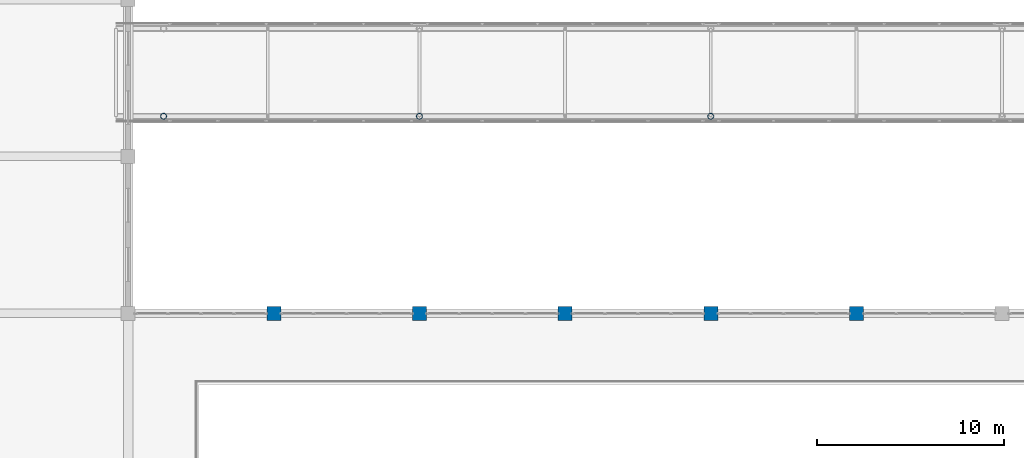
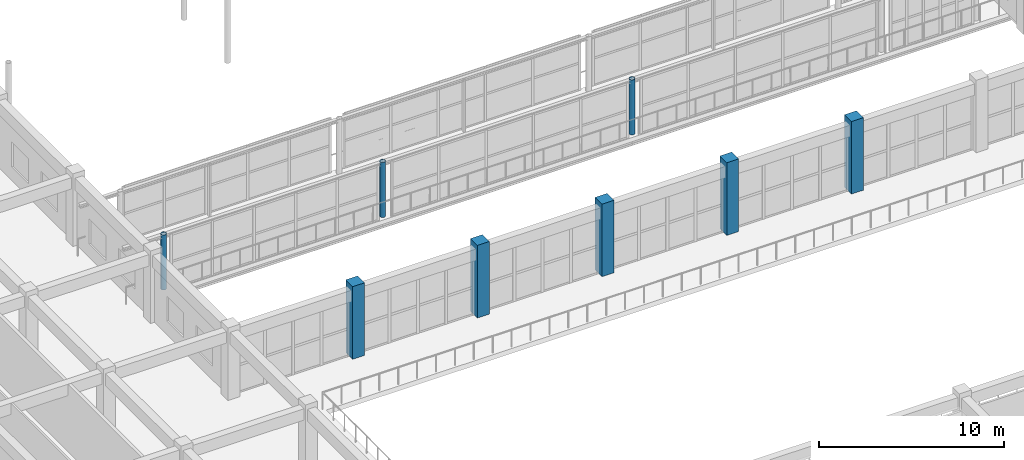
# One storey, part 2 of 175: 8 columns.
"""IFC4 building model written with IfcOpenShell, lengths in metres."""

import ifcopenshell
import ifcopenshell.guid

model = None  # the IFC model being written
_history = None  # IfcOwnerHistory: only IFC2X3 demands one
_inside = {}  # id of a spatial element -> (the spatial element, [elements in it])
_under = {}  # id of a project, library or spatial element -> (it, [spatial elements below it])
_declared = {}  # id of a project -> (the project, [libraries it declares])
_typed = {}  # id of a type object -> (the type object, [elements of that type])
_made_of = {}  # id of a material, layer set ... -> (it, [elements and type objects made of it])


def new_model(schema):
    """Start an empty IFC model of exactly this schema.

    Asked for "IFC4X3", IfcOpenShell would pick the latest addendum, in which some entities
    have other attributes; the version numbers below select the first issue.
    IFC2X3 requires an IfcOwnerHistory on every rooted entity: one is made here for all.
    """
    global model, _history
    if schema == "IFC4X3":
        model = ifcopenshell.file(schema_version=(4, 3, 0, 0))
    else:
        model = ifcopenshell.file(schema=schema)
    _inside.clear()
    _under.clear()
    _declared.clear()
    _typed.clear()
    _made_of.clear()
    _history = None
    if model.schema == "IFC2X3":
        org = make("IfcOrganization", Name="unknown")
        user = make(
            "IfcPersonAndOrganization",
            ThePerson=make("IfcPerson", FamilyName="unknown"),
            TheOrganization=org,
        )
        app = make(
            "IfcApplication",
            ApplicationDeveloper=org,
            Version="unknown",
            ApplicationFullName="unknown",
            ApplicationIdentifier="unknown",
        )
        _history = make(
            "IfcOwnerHistory",
            OwningUser=user,
            OwningApplication=app,
            ChangeAction="ADDED",
            CreationDate=0,
        )
    return model


def make(cls, **values):
    """One entity of the class cls with the attributes given. An attribute that is None is left unset."""
    return model.create_entity(
        cls, **{name: value for name, value in values.items() if value is not None}
    )


def rooted(cls, **values):
    """An entity with a GlobalId (a new one), such as an element, a storey or a relation."""
    return make(cls, GlobalId=ifcopenshell.guid.new(), OwnerHistory=_history, **values)


def si_unit(unit_type, name, prefix=None):
    """IfcSIUnit, for example si_unit("LENGTHUNIT", "METRE", prefix="MILLI")."""
    return make("IfcSIUnit", UnitType=unit_type, Prefix=prefix, Name=name)


def assignment(units):
    """IfcUnitAssignment: the units of a project."""
    return None if units is None else make("IfcUnitAssignment", Units=units)


def point(xyz):
    """IfcCartesianPoint."""
    return None if xyz is None else make("IfcCartesianPoint", Coordinates=xyz)


def direction(xyz):
    """IfcDirection."""
    return None if xyz is None else make("IfcDirection", DirectionRatios=xyz)


def frame(location, z_axis=None, x_axis=None):
    """IfcAxis2Placement3D, a coordinate frame: its origin and axes. An axis left out is left unset."""
    return make(
        "IfcAxis2Placement3D",
        Location=point(location),
        Axis=direction(z_axis),
        RefDirection=direction(x_axis),
    )


def frame_2d(location, x_axis=None):
    """IfcAxis2Placement2D, a coordinate frame in the plane: its origin and x axis."""
    return make(
        "IfcAxis2Placement2D", Location=point(location), RefDirection=direction(x_axis)
    )


def origin():
    """The frame at (0, 0, 0) with its axes left unset."""
    return frame((0.0, 0.0, 0.0))


def origin_2d():
    """The frame at (0, 0) in the plane with its x axis left unset."""
    return frame_2d((0.0, 0.0))


def place(relative_to, where):
    """IfcLocalPlacement: puts the frame where relative to a parent placement (None: the world)."""
    return make(
        "IfcLocalPlacement", PlacementRelTo=relative_to, RelativePlacement=where
    )


def context(
    kind, dimensions, precision=None, world=None, true_north=None, identifier=None
):
    """IfcGeometricRepresentationContext, for example the 3D "Model" context."""
    return make(
        "IfcGeometricRepresentationContext",
        ContextIdentifier=identifier,
        ContextType=kind,
        CoordinateSpaceDimension=dimensions,
        Precision=precision,
        WorldCoordinateSystem=world,
        TrueNorth=true_north,
    )


def subcontext(parent, identifier, kind, view, scale=None):
    """IfcGeometricRepresentationSubContext, for example "Body" below "Model"."""
    return make(
        "IfcGeometricRepresentationSubContext",
        ContextIdentifier=identifier,
        ContextType=kind,
        ParentContext=parent,
        TargetScale=scale,
        TargetView=view,
    )


def project(units=None, contexts=None):
    """IfcProject with its units and contexts."""
    return rooted(
        "IfcProject",
        Name="project",
        RepresentationContexts=contexts,
        UnitsInContext=assignment(units),
    )


def spatial(cls, under=None, at=None, **own):
    """A site, building, storey or space (cls), placed at a placement, below another one or the project."""
    s = rooted(cls, ObjectPlacement=at, **own)
    if under is not None:
        _under.setdefault(under.id(), (under, []))[1].append(s)
    return s


def profile(cls, at=None, kind="AREA", **sizes):
    """A parametric profile (cls). Its sizes go by their IFC names, for example OverallWidth=200.0."""
    return make(cls, ProfileType=kind, Position=at, **sizes)


def rectangle(**sizes):
    """IfcRectangleProfileDef."""
    return profile("IfcRectangleProfileDef", **sizes)


def hollow_circle(**sizes):
    """IfcCircleHollowProfileDef."""
    return profile("IfcCircleHollowProfileDef", **sizes)


def extrude(swept, where, along, depth):
    """IfcExtrudedAreaSolid: the profile swept, set in the frame where, extruded along a direction by depth."""
    return make(
        "IfcExtrudedAreaSolid",
        SweptArea=swept,
        Position=where,
        ExtrudedDirection=direction(along),
        Depth=depth,
    )


def shape(context_of_items, identifier, shape_type, items):
    """IfcShapeRepresentation: the items that make up one representation, for example the "Body"."""
    return make(
        "IfcShapeRepresentation",
        ContextOfItems=context_of_items,
        RepresentationIdentifier=identifier,
        RepresentationType=shape_type,
        Items=items,
    )


def material(Name=None, Category=None):
    """IfcMaterial."""
    return make("IfcMaterial", Name=Name, Category=Category)


def material_profile(
    of_material, cross_section, Name=None, Category=None, Priority=None
):
    """IfcMaterialProfile: a cross section and its material."""
    return make(
        "IfcMaterialProfile",
        Name=Name,
        Material=of_material,
        Profile=cross_section,
        Priority=Priority,
        Category=Category,
    )


def profile_set(profiles, Name=None, composite=None):
    """IfcMaterialProfileSet."""
    return make(
        "IfcMaterialProfileSet",
        Name=Name,
        MaterialProfiles=profiles,
        CompositeProfile=composite,
    )


def made_of(thing, what):
    """Note that an element or type object is made of a material, layer set ...; save() writes the relation."""
    if what is not None:
        _made_of.setdefault(what.id(), (what, []))[1].append(thing)
    return thing


def type_object(cls, material=None, **own):
    """A type object (cls), such as IfcWallType, which elements share."""
    return made_of(rooted(cls, **own), material)


def element(
    cls,
    number,
    at=None,
    inside=None,
    cuts=None,
    type_object=None,
    material=None,
    context=None,
    identifier="Body",
    shape_type=None,
    held_by="IfcProductDefinitionShape",
    body=None,
    shapes=None,
    **own,
):
    """One element of the class cls, such as IfcWall. Its Tag is "e" and its number.

    at: its placement. inside: the storey or other place that contains it. cuts: it is an
    opening in that element (IfcRelVoidsElement). A single representation is given by context,
    identifier, shape_type and body (its items); several are given by shapes. held_by: the class
    of the entity that holds the representations. save() writes the other relations.
    """
    e = rooted(cls, Tag="e%d" % number, ObjectPlacement=at, **own)
    if body is not None:
        shapes = [shape(context, identifier, shape_type, body)]
    if shapes is not None:
        e.Representation = make(held_by, Representations=shapes)
    if inside is not None:
        _inside.setdefault(inside.id(), (inside, []))[1].append(e)
    if cuts is not None:
        rooted(
            "IfcRelVoidsElement", RelatingBuildingElement=cuts, RelatedOpeningElement=e
        )
    if type_object is not None:
        _typed.setdefault(type_object.id(), (type_object, []))[1].append(e)
    return made_of(e, material)


def aggregate(whole, parts):
    """IfcRelAggregates: a whole, such as a stair, and the parts it consists of."""
    return rooted("IfcRelAggregates", RelatingObject=whole, RelatedObjects=parts)


def save(model, path):
    """Write the relations noted so far, then the file.

    IfcRelAggregates (storeys below a building ...), IfcRelContainedInSpatialStructure (elements
    in a storey), IfcRelDefinesByType, IfcRelAssociatesMaterial and IfcRelDeclares: one each for
    every whole, place, type object, material and project.
    """
    for whole, parts in _under.values():
        aggregate(whole, parts)
    for where, things in _inside.values():
        rooted(
            "IfcRelContainedInSpatialStructure",
            RelatedElements=things,
            RelatingStructure=where,
        )
    for kind, things in _typed.values():
        rooted("IfcRelDefinesByType", RelatedObjects=things, RelatingType=kind)
    for what, things in _made_of.values():
        rooted("IfcRelAssociatesMaterial", RelatedObjects=things, RelatingMaterial=what)
    for by, libraries in _declared.values():
        rooted("IfcRelDeclares", RelatingContext=by, RelatedDefinitions=libraries)
    model.write(path)


model = new_model("IFC4")

# Units and contexts
model_context = context("Model", 3, precision=1e-05, world=origin(), true_north=direction((0.0, 1.0)))
body_context = subcontext(model_context, "Body", "Model", "MODEL_VIEW")
ifc_project = project(units=[si_unit("LENGTHUNIT", "METRE"), si_unit("AREAUNIT", "SQUARE_METRE"), si_unit("VOLUMEUNIT", "CUBIC_METRE"), si_unit("PLANEANGLEUNIT", "RADIAN"), si_unit("MASSUNIT", "GRAM", prefix="KILO")], contexts=[model_context])

# Site, building, storey
site_placement = place(None, origin())
site = spatial("IfcSite", under=ifc_project, at=site_placement, CompositionType="ELEMENT")
building_placement = place(site_placement, origin())
building = spatial("IfcBuilding", under=site, at=building_placement, Name="Zizhar Promenade General Hospital", CompositionType="ELEMENT")
storey_placement = place(building_placement, frame((0.0, 0.0, 4.800048828125)))
storey = spatial("IfcBuildingStorey", under=building, at=storey_placement, Name="L01", CompositionType="ELEMENT", Elevation=4.800048828125)

# Columns
ifc_material_1 = material(Name="Concrete C40/50", Category="concrete")
ifc_material_profile_1 = material_profile(ifc_material_1, rectangle(XDim=0.75, YDim=0.75, at=origin_2d()))
ifc_profile_set_1 = profile_set([ifc_material_profile_1], Name="Concrete C40/50")
column_type_1 = type_object("IfcColumnType", Name="COL-RC-750", PredefinedType="COLUMN", material=ifc_profile_set_1)
for number, where, z_axis, x_axis, name in (
    (1, (78.0, 50.39990234375, 0.0), (0.0, 0.0, 1.0), (1.0, 0.0, 0.0), "Column 11-G (L01)"),
    (2, (85.800048828125, 50.39990234375, 0.0), (0.0, 0.0, 1.0), (1.0, 0.0, 0.0), "Column 12-G (L01)"),
    (3, (93.60009765625, 50.39990234375, 0.0), (0.0, 0.0, 1.0), (1.0, 0.0, 0.0), "Column 13-G (L01)"),
    (4, (101.39990234375, 50.39990234375, 0.0), (0.0, 0.0, 1.0), (1.0, 0.0, 0.0), "Column 14-G (L01)"),
    (5, (109.199951171875, 50.39990234375, 0.0), (0.0, 0.0, 1.0), (1.0, 0.0, 0.0), "Column 15-G (L01)"),
):
    element("IfcColumn", number, at=place(storey_placement, frame(where, z_axis=z_axis, x_axis=x_axis)), inside=storey, type_object=column_type_1, Name=name, PredefinedType="COLUMN", context=body_context, shape_type="SweptSolid", body=[
        extrude(rectangle(XDim=0.75, YDim=0.75, at=origin_2d()), origin(), (0.0, 0.0, 1.0), 4.800048828125),
    ])
ifc_material_2 = material(Name="Steel S355", Category="steel")
ifc_material_profile_2 = material_profile(ifc_material_2, hollow_circle(Radius=0.161865234375, WallThickness=0.012451171875, at=origin_2d()))
ifc_profile_set_2 = profile_set([ifc_material_profile_2], Name="Steel S355")
column_type_2 = type_object("IfcColumnType", Name="COL-STL-CHS324", PredefinedType="COLUMN", material=ifc_profile_set_2)
for number, where, z_axis, x_axis, name in (
    (6, (85.800048828125, 60.949951171875, 0.0), (0.0, 0.0, 1.0), (1.0, 0.0, 0.0), "SB-1 Courtyard Pier 1S (L01)"),
    (7, (101.39990234375, 60.949951171875, 0.0), (0.0, 0.0, 1.0), (1.0, 0.0, 0.0), "SB-1 Courtyard Pier 2S (L01)"),
    (8, (72.10009765625, 60.949951171875, 0.0), (0.0, 0.0, 1.0), (1.0, 0.0, 0.0), "SB-1 Abutment Pier 1S (L01)"),
):
    element("IfcColumn", number, at=place(storey_placement, frame(where, z_axis=z_axis, x_axis=x_axis)), inside=storey, type_object=column_type_2, Name=name, PredefinedType="COLUMN", context=body_context, shape_type="SweptSolid", body=[
        extrude(hollow_circle(Radius=0.161865234375, WallThickness=0.012451171875, at=origin_2d()), origin(), (0.0, 0.0, 1.0), 3.639892578125),
    ])

save(model, "model.ifc")
